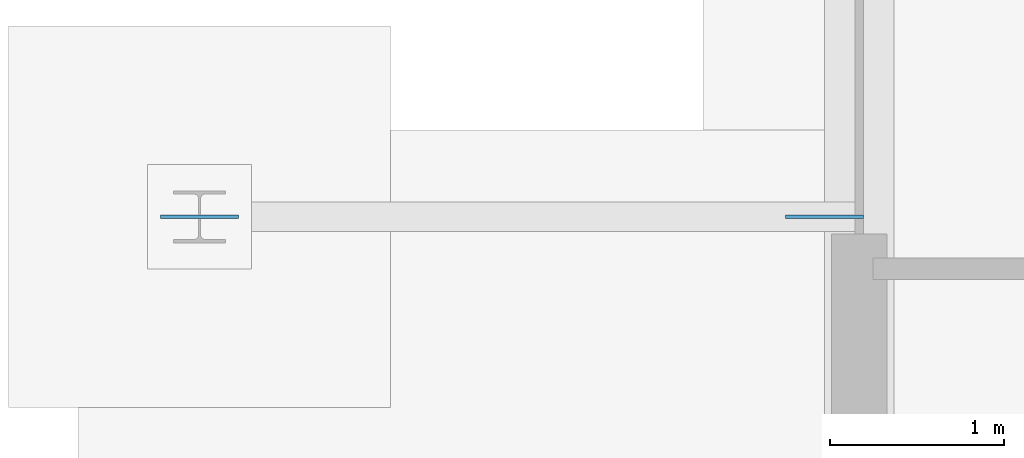
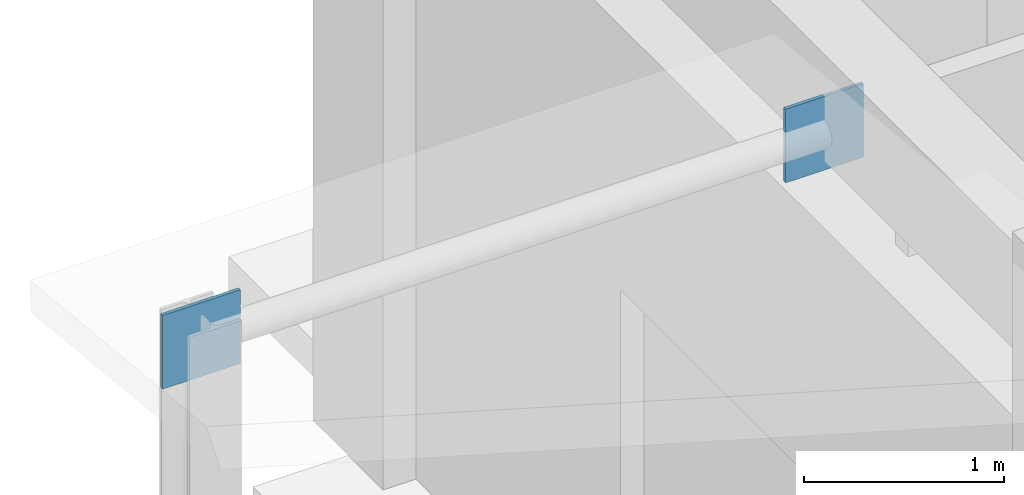
# One storey, part 17 of 40: 2 plates.
"""IFC4 building model written with IfcOpenShell, lengths in metres."""

from ifc_helpers import new_model, si_unit, direction, frame, origin, origin_2d, place, context, subcontext, project, spatial, rectangle, extrude, material, layer, layer_set, type_object, element, save


model = new_model("IFC4")

# Units and contexts
model_context = context("Model", 3, precision=1e-05, world=origin(), true_north=direction((0.0, 1.0)))
body_context = subcontext(model_context, "Body", "Model", "MODEL_VIEW")
ifc_project = project(units=[si_unit("LENGTHUNIT", "METRE"), si_unit("AREAUNIT", "SQUARE_METRE"), si_unit("VOLUMEUNIT", "CUBIC_METRE"), si_unit("PLANEANGLEUNIT", "RADIAN"), si_unit("MASSUNIT", "GRAM", prefix="KILO")], contexts=[model_context])

# Site, building, storey
site_placement = place(None, origin())
site = spatial("IfcSite", under=ifc_project, at=site_placement, CompositionType="ELEMENT")
building_placement = place(site_placement, origin())
building = spatial("IfcBuilding", under=site, at=building_placement, Name="Naurynzar Civic Courthouse", CompositionType="ELEMENT")
storey_placement = place(building_placement, origin())
storey = spatial("IfcBuildingStorey", under=building, at=storey_placement, Name="L01", CompositionType="ELEMENT", Elevation=0.0)

# Plates
ifc_material = material(Name="Steel S355", Category="steel")
ifc_layer = layer(ifc_material, 0.02001953125)
ifc_layer_set = layer_set([ifc_layer], Name="PLT-GUSSET-450x450x20")
plate_type = type_object("IfcPlateType", Name="PLT-GUSSET-450x450x20", PredefinedType="USERDEFINED", material=ifc_layer_set)
for number, where, z_axis, x_axis, name in (
    (1, (2.199951171875, 67.5, 4.4248046875), (0.0, 0.0, 1.0), (1.0, 0.0, 0.0), "West canopy strut west gusset plate 4"),
    (2, (5.800048828125, 67.5, 4.4248046875), (0.0, 0.0, 1.0), (1.0, 0.0, 0.0), "West canopy strut east gusset plate 4"),
):
    element("IfcPlate", number, at=place(storey_placement, frame(where, z_axis=z_axis, x_axis=x_axis)), inside=storey, type_object=plate_type, Name=name, ObjectType="GUSSET PLATE", PredefinedType="USERDEFINED", context=body_context, shape_type="SweptSolid", body=[
        extrude(rectangle(XDim=0.449951171875, YDim=0.02001953125, at=origin_2d()), origin(), (0.0, 0.0, 1.0), 0.449951171875),
    ])

save(model, "model.ifc")
